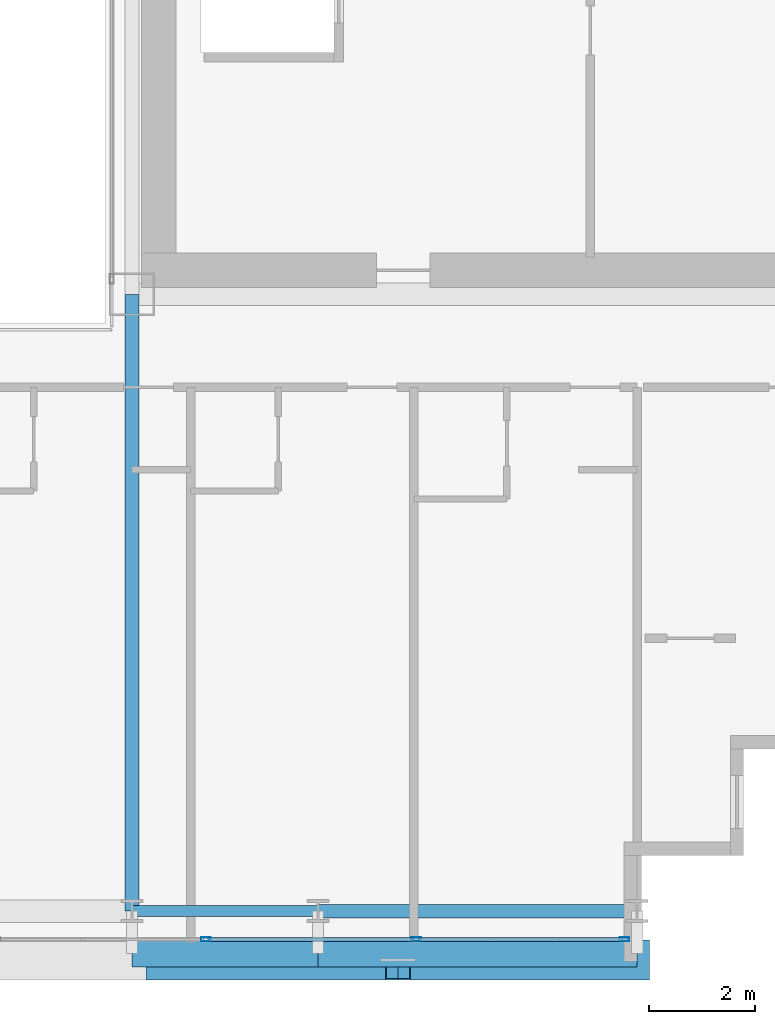
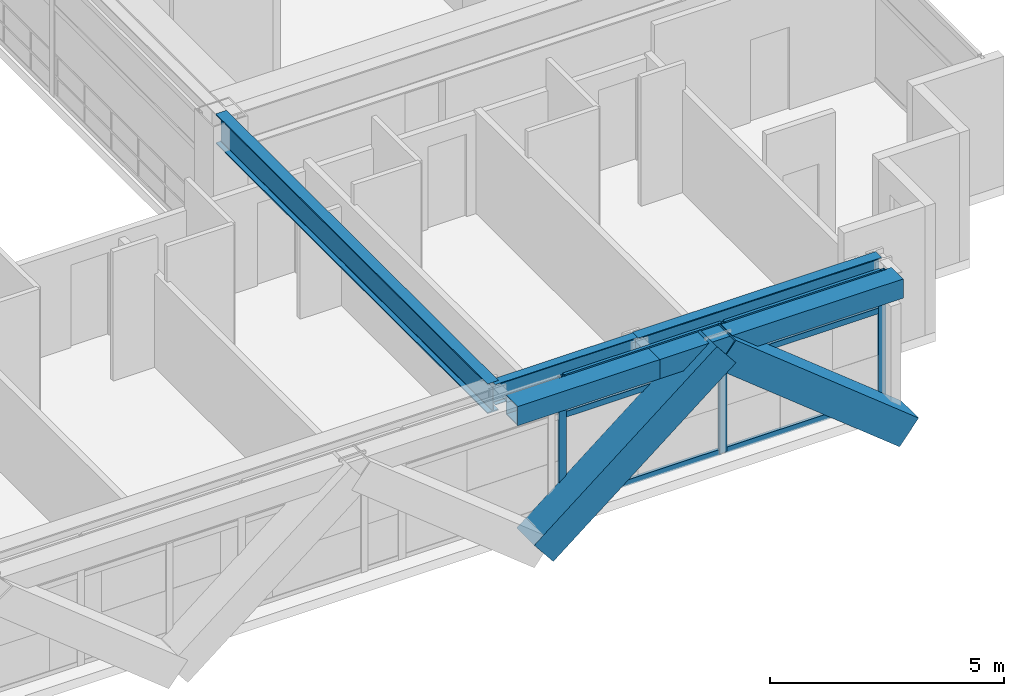
# One storey, part 11 of 39: 11 members, 5 beams, 1 element without a shape of its own.
"""IFC4 building model written with IfcOpenShell, lengths in metres."""

from ifc_helpers import new_model, si_unit, direction, frame, origin, origin_2d, place, context, subcontext, project, spatial, hollow_rectangle, i_section, extrude, source, transform, mapped, material, layer, layer_set, material_profile, profile_set, type_object, element, aggregate, save


model = new_model("IFC4")

# Units and contexts
model_context = context("Model", 3, precision=1e-05, world=origin(), true_north=direction((0.0, 1.0)))
body_context = subcontext(model_context, "Body", "Model", "MODEL_VIEW")
ifc_project = project(units=[si_unit("LENGTHUNIT", "METRE"), si_unit("AREAUNIT", "SQUARE_METRE"), si_unit("VOLUMEUNIT", "CUBIC_METRE"), si_unit("PLANEANGLEUNIT", "RADIAN"), si_unit("MASSUNIT", "GRAM", prefix="KILO")], contexts=[model_context])

# Site, building, storey
site_placement = place(None, origin())
site = spatial("IfcSite", under=ifc_project, at=site_placement, CompositionType="ELEMENT")
building_placement = place(site_placement, origin())
building = spatial("IfcBuilding", under=site, at=building_placement, Name="Ocotamira Hotel", CompositionType="ELEMENT")
storey_placement = place(building_placement, frame((0.0, 0.0, 104.39990234375)))
storey = spatial("IfcBuildingStorey", under=building, at=storey_placement, Name="L25", CompositionType="ELEMENT", Elevation=104.39990234375)

# Beams
ifc_material_1 = material(Name="Steel ASTM A992 Grade 50", Category="steel")
ifc_material_profile_1 = material_profile(ifc_material_1, i_section(OverallWidth=0.256103515625, OverallDepth=0.693115234375, WebThickness=0.014404296875, FlangeThickness=0.023681640625, FilletRadius=0.01611328125, at=origin_2d()), Name="W27X114")
ifc_profile_set_1 = profile_set([ifc_material_profile_1], Name="Steel ASTM A992 Grade 50")
beam_type_1 = type_object("IfcBeamType", Name="BM-PRIM-W27X114", PredefinedType="BEAM", material=ifc_profile_set_1)
shared_shape_1 = source(origin(), body_context, "Body", "SweptSolid", [
    extrude(i_section(OverallWidth=0.256103515625, OverallDepth=0.693115234375, WebThickness=0.014404296875, FlangeThickness=0.023681640625, FilletRadius=0.01611328125, at=origin_2d()), origin(), (0.0, 0.0, 1.0), 6.0),
])
beam_1_placement = place(storey_placement, frame((44.0, 2.949951171875, 3.013671875), z_axis=(1.0, 0.0, 0.0), x_axis=(0.0, 1.0, 0.0)))
element("IfcBeam", 1, at=beam_1_placement, inside=storey, type_object=beam_type_1, Name="L25 Girder Y2.95 X44-50", PredefinedType="BEAM", context=body_context, shape_type="MappedRepresentation", body=[
    mapped(shared_shape_1, transform((0.0, 0.0, 0.0), scale=1.0)),
])
ifc_material_profile_2 = material_profile(ifc_material_1, i_section(OverallWidth=0.2099609375, OverallDepth=0.537109375, WebThickness=0.010986328125, FlangeThickness=0.017333984375, FilletRadius=0.012939453125, at=origin_2d()), Name="W21X68")
ifc_profile_set_2 = profile_set([ifc_material_profile_2], Name="Steel ASTM A992 Grade 50")
beam_type_2 = type_object("IfcBeamType", Name="BM-SEC-W21X68", PredefinedType="JOIST", material=ifc_profile_set_2)
shared_shape_2 = source(origin(), body_context, "Body", "SweptSolid", [
    extrude(i_section(OverallWidth=0.2099609375, OverallDepth=0.537109375, WebThickness=0.010986328125, FlangeThickness=0.017333984375, FilletRadius=0.012939453125, at=origin_2d()), origin(), (0.0, 0.0, 1.0), 3.5),
])
beam_2_placement = place(storey_placement, frame((40.5, 2.949951171875, 3.091552734375), z_axis=(1.0, 0.0, 0.0), x_axis=(0.0, 1.0, 0.0)))
element("IfcBeam", 2, at=beam_2_placement, inside=storey, type_object=beam_type_2, Name="L25 Girder Y2.95 X40.5-44", PredefinedType="JOIST", context=body_context, shape_type="MappedRepresentation", body=[
    mapped(shared_shape_2, transform((0.0, 0.0, 0.0), scale=1.0)),
])
ifc_material_profile_3 = material_profile(ifc_material_1, i_section(OverallWidth=0.26611328125, OverallDepth=0.779052734375, WebThickness=0.0166015625, FlangeThickness=0.030029296875, FilletRadius=0.01806640625, at=origin_2d()), Name="W30X148")
ifc_profile_set_3 = profile_set([ifc_material_profile_3], Name="Steel ASTM A992 Grade 50")
beam_type_3 = type_object("IfcBeamType", Name="BM-GIRD-W30X148", PredefinedType="BEAM", material=ifc_profile_set_3)
shared_shape_3 = source(origin(), body_context, "Body", "SweptSolid", [
    extrude(i_section(OverallWidth=0.26611328125, OverallDepth=0.779052734375, WebThickness=0.0166015625, FlangeThickness=0.030029296875, FilletRadius=0.01806640625, at=origin_2d()), origin(), (0.0, 0.0, 1.0), 11.60009765625),
])
beam_3_placement = place(storey_placement, frame((40.5, 2.949951171875, 2.970703125), z_axis=(0.0, 1.0, 0.0), x_axis=(-1.0, 0.0, 0.0)))
element("IfcBeam", 3, at=beam_3_placement, inside=storey, type_object=beam_type_3, Name="L25 Beam X40.5 Y2.95-14.55", PredefinedType="BEAM", context=body_context, shape_type="MappedRepresentation", body=[
    mapped(shared_shape_3, transform((0.0, 0.0, 0.0), scale=1.0)),
])
ifc_material_2 = material(Name="Steel ASTM A500 Grade C", Category="steel")
ifc_material_profile_4 = material_profile(ifc_material_2, hollow_rectangle(XDim=0.5, YDim=0.5, WallThickness=0.02001953125, at=origin_2d()), Name="HSS500X500X20")
ifc_profile_set_4 = profile_set([ifc_material_profile_4], Name="Steel ASTM A500 Grade C")
beam_type_4 = type_object("IfcBeamType", Name="BM-SPAN-HSS500", PredefinedType="USERDEFINED", material=ifc_profile_set_4)
shared_shape_4 = source(origin(), body_context, "Body", "SweptSolid", [
    extrude(hollow_rectangle(XDim=0.5, YDim=0.5, WallThickness=0.02001953125, at=origin_2d()), origin(), (0.0, 0.0, 1.0), 6.0),
])
beam_4_placement = place(storey_placement, frame((44.0, 2.14990234375, 3.110107421875), z_axis=(1.0, 0.0, 0.0), x_axis=(0.0, 1.0, 0.0)))
element("IfcBeam", 4, at=beam_4_placement, inside=storey, type_object=beam_type_4, Name="L25 Edge Spandrel S X44-50", ObjectType="SPANDREL", PredefinedType="USERDEFINED", context=body_context, shape_type="MappedRepresentation", body=[
    mapped(shared_shape_4, transform((0.0, 0.0, 0.0), scale=1.0)),
])
shared_shape_5 = source(origin(), body_context, "Body", "SweptSolid", [
    extrude(hollow_rectangle(XDim=0.5, YDim=0.5, WallThickness=0.02001953125, at=origin_2d()), origin(), (0.0, 0.0, 1.0), 3.5),
])
beam_5_placement = place(storey_placement, frame((40.5, 2.14990234375, 3.110107421875), z_axis=(1.0, 0.0, 0.0), x_axis=(0.0, 1.0, 0.0)))
element("IfcBeam", 5, at=beam_5_placement, inside=storey, type_object=beam_type_4, Name="L25 Edge Spandrel S X40.5-44", ObjectType="SPANDREL", PredefinedType="USERDEFINED", context=body_context, shape_type="MappedRepresentation", body=[
    mapped(shared_shape_5, transform((0.0, 0.0, 0.0), scale=1.0)),
])

# Members
ifc_material_3 = material(Name="Pale-metal coated steel ASTM A913 Grade 65", Category="steel")
ifc_material_profile_5 = material_profile(ifc_material_3, hollow_rectangle(XDim=0.75, YDim=0.75, WallThickness=0.028076171875, at=origin_2d()), Name="BOX750X750X28")
ifc_profile_set_5 = profile_set([ifc_material_profile_5], Name="Pale-metal coated steel ASTM A913 Grade 65")
member_type_1 = type_object("IfcMemberType", Name="MEM-EXO-BOX750", PredefinedType="BRACE", material=ifc_profile_set_5)
shared_shape_6 = source(origin(), body_context, "Body", "SweptSolid", [
    extrude(hollow_rectangle(XDim=0.75, YDim=0.75, WallThickness=0.028076171875, at=origin_2d()), origin(), (0.0, 0.0, 1.0), 5.762939453125),
])
for number, where, z_axis, x_axis, name in (
    (6, (41.0, 2.030029296875, -0.489990234375), (0.780860543151, 0.0, 0.624705380279), (0.0, 1.0, 0.0), "L25 Exoskeleton Diagrid S3.1"),
    (7, (50.0, 2.030029296875, -0.489990234375), (-0.780860543151, 0.0, 0.624705380279), (0.0, -1.0, 0.0), "L25 Exoskeleton Diagrid S3.2"),
):
    element("IfcMember", number, at=place(storey_placement, frame(where, z_axis=z_axis, x_axis=x_axis)), inside=storey, type_object=member_type_1, Name=name, PredefinedType="BRACE", context=body_context, shape_type="MappedRepresentation", body=[
        mapped(shared_shape_6, transform((0.0, 0.0, 0.0), scale=1.0)),
    ])

# Curtain wall, members
ifc_material_4 = material(Name="Anodised pale-metal aluminium and solar glass", Category="aluminium")
ifc_layer = layer(ifc_material_4, 0.179931640625)
ifc_layer_set = layer_set([ifc_layer], Name="Anodised pale-metal aluminium and solar glass")
curtain_wall_type = type_object("IfcCurtainWallType", Name="CW-SYS3-Z2", PredefinedType="NOTDEFINED", material=ifc_layer_set)
curtain_wall_placement = place(storey_placement, origin())
curtain_wall = element("IfcCurtainWall", 8, at=curtain_wall_placement, inside=storey, type_object=curtain_wall_type, Name="L25 Curtain Wall CW-3 CW-L25-S1", PredefinedType="NOTDEFINED")
ifc_material_5 = material(Name="Anodised pale-metal aluminium 6063-T6", Category="aluminium")
ifc_material_profile_6 = material_profile(ifc_material_5, hollow_rectangle(XDim=0.074951171875, YDim=0.14990234375, WallThickness=0.006103515625, at=origin_2d()), Name="HSS150X75X6")
ifc_profile_set_6 = profile_set([ifc_material_profile_6], Name="Anodised pale-metal aluminium 6063-T6")
member_type_2 = type_object("IfcMemberType", Name="CWT-150X75", PredefinedType="USERDEFINED", material=ifc_profile_set_6)
shared_shape_7 = source(origin(), body_context, "Body", "SweptSolid", [
    extrude(hollow_rectangle(XDim=0.074951171875, YDim=0.14990234375, WallThickness=0.006103515625, at=origin_2d()), origin(), (0.0, 0.0, 1.0), 3.83544921875),
])
member_1_placement = place(storey_placement, frame((45.884521484375, 2.419921875, 0.03759765625), z_axis=(1.0, 0.0, 0.0), x_axis=(0.0, 1.0, 0.0)))
member_1 = element("IfcMember", 9, at=member_1_placement, type_object=member_type_2, Name="CW-3 transom 9.1", ObjectType="TRANSOM", PredefinedType="USERDEFINED", context=body_context, shape_type="MappedRepresentation", body=[
    mapped(shared_shape_7, transform((0.0, 0.0, 0.0), scale=1.0)),
])
member_2_placement = place(storey_placement, frame((45.884521484375, 2.419921875, 2.35009765625), z_axis=(1.0, 0.0, 0.0), x_axis=(0.0, 1.0, 0.0)))
member_2 = element("IfcMember", 10, at=member_2_placement, type_object=member_type_2, Name="CW-3 transom 9.2", ObjectType="TRANSOM", PredefinedType="USERDEFINED", context=body_context, shape_type="MappedRepresentation", body=[
    mapped(shared_shape_7, transform((0.0, 0.0, 0.0), scale=1.0)),
])
member_3_placement = place(storey_placement, frame((45.884521484375, 2.419921875, 3.322509765625), z_axis=(1.0, 0.0, 0.0), x_axis=(0.0, 1.0, 0.0)))
member_3 = element("IfcMember", 11, at=member_3_placement, type_object=member_type_2, Name="CW-3 transom 9.3", ObjectType="TRANSOM", PredefinedType="USERDEFINED", context=body_context, shape_type="MappedRepresentation", body=[
    mapped(shared_shape_7, transform((0.0, 0.0, 0.0), scale=1.0)),
])
shared_shape_8 = source(origin(), body_context, "Body", "SweptSolid", [
    extrude(hollow_rectangle(XDim=0.074951171875, YDim=0.14990234375, WallThickness=0.006103515625, at=origin_2d()), origin(), (0.0, 0.0, 1.0), 3.87548828125),
])
member_4_placement = place(storey_placement, frame((41.928955078125, 2.419921875, 0.03759765625), z_axis=(1.0, 0.0, 0.0), x_axis=(0.0, 1.0, 0.0)))
member_4 = element("IfcMember", 12, at=member_4_placement, type_object=member_type_2, Name="CW-3 transom 8.1", ObjectType="TRANSOM", PredefinedType="USERDEFINED", context=body_context, shape_type="MappedRepresentation", body=[
    mapped(shared_shape_8, transform((0.0, 0.0, 0.0), scale=1.0)),
])
member_5_placement = place(storey_placement, frame((41.928955078125, 2.419921875, 2.35009765625), z_axis=(1.0, 0.0, 0.0), x_axis=(0.0, 1.0, 0.0)))
member_5 = element("IfcMember", 13, at=member_5_placement, type_object=member_type_2, Name="CW-3 transom 8.2", ObjectType="TRANSOM", PredefinedType="USERDEFINED", context=body_context, shape_type="MappedRepresentation", body=[
    mapped(shared_shape_8, transform((0.0, 0.0, 0.0), scale=1.0)),
])
member_6_placement = place(storey_placement, frame((41.928955078125, 2.419921875, 3.322509765625), z_axis=(1.0, 0.0, 0.0), x_axis=(0.0, 1.0, 0.0)))
member_6 = element("IfcMember", 14, at=member_6_placement, type_object=member_type_2, Name="CW-3 transom 8.3", ObjectType="TRANSOM", PredefinedType="USERDEFINED", context=body_context, shape_type="MappedRepresentation", body=[
    mapped(shared_shape_8, transform((0.0, 0.0, 0.0), scale=1.0)),
])
ifc_material_profile_7 = material_profile(ifc_material_5, hollow_rectangle(XDim=0.080078125, YDim=0.179931640625, WallThickness=0.006103515625, at=origin_2d()), Name="HSS180X80X6")
ifc_profile_set_7 = profile_set([ifc_material_profile_7], Name="Anodised pale-metal aluminium 6063-T6")
member_type_3 = type_object("IfcMemberType", Name="CWM-180X75", PredefinedType="MULLION", material=ifc_profile_set_7)
shared_shape_9 = source(origin(), body_context, "Body", "SweptSolid", [
    extrude(hollow_rectangle(XDim=0.080078125, YDim=0.179931640625, WallThickness=0.006103515625, at=origin_2d()), origin(), (0.0, 0.0, 1.0), 3.360107421875),
])
member_7_placement = place(storey_placement, frame((41.888916015625, 2.419921875, 0.0), z_axis=(0.0, 0.0, 1.0), x_axis=(0.0, 1.0, 0.0)))
member_7 = element("IfcMember", 15, at=member_7_placement, type_object=member_type_3, Name="CW-3 mullion 8", PredefinedType="MULLION", context=body_context, shape_type="MappedRepresentation", body=[
    mapped(shared_shape_9, transform((0.0, 0.0, 0.0), scale=1.0)),
])
member_8_placement = place(storey_placement, frame((45.844482421875, 2.419921875, 0.0), z_axis=(0.0, 0.0, 1.0), x_axis=(0.0, 1.0, 0.0)))
member_8 = element("IfcMember", 16, at=member_8_placement, type_object=member_type_3, Name="CW-3 mullion 9", PredefinedType="MULLION", context=body_context, shape_type="MappedRepresentation", body=[
    mapped(shared_shape_9, transform((0.0, 0.0, 0.0), scale=1.0)),
])
member_9_placement = place(storey_placement, frame((49.760009765625, 2.419921875, 0.0), z_axis=(0.0, 0.0, 1.0), x_axis=(0.0, 1.0, 0.0)))
member_9 = element("IfcMember", 17, at=member_9_placement, type_object=member_type_3, Name="CW-3 mullion 10", PredefinedType="MULLION", context=body_context, shape_type="MappedRepresentation", body=[
    mapped(shared_shape_9, transform((0.0, 0.0, 0.0), scale=1.0)),
])
aggregate(curtain_wall, [member_7, member_8, member_9, member_4, member_5, member_6, member_1, member_2, member_3])

save(model, "model.ifc")
